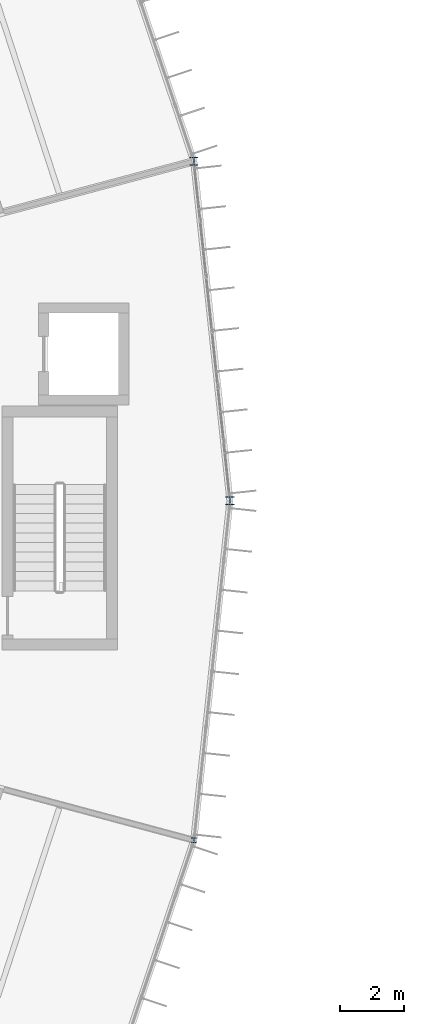
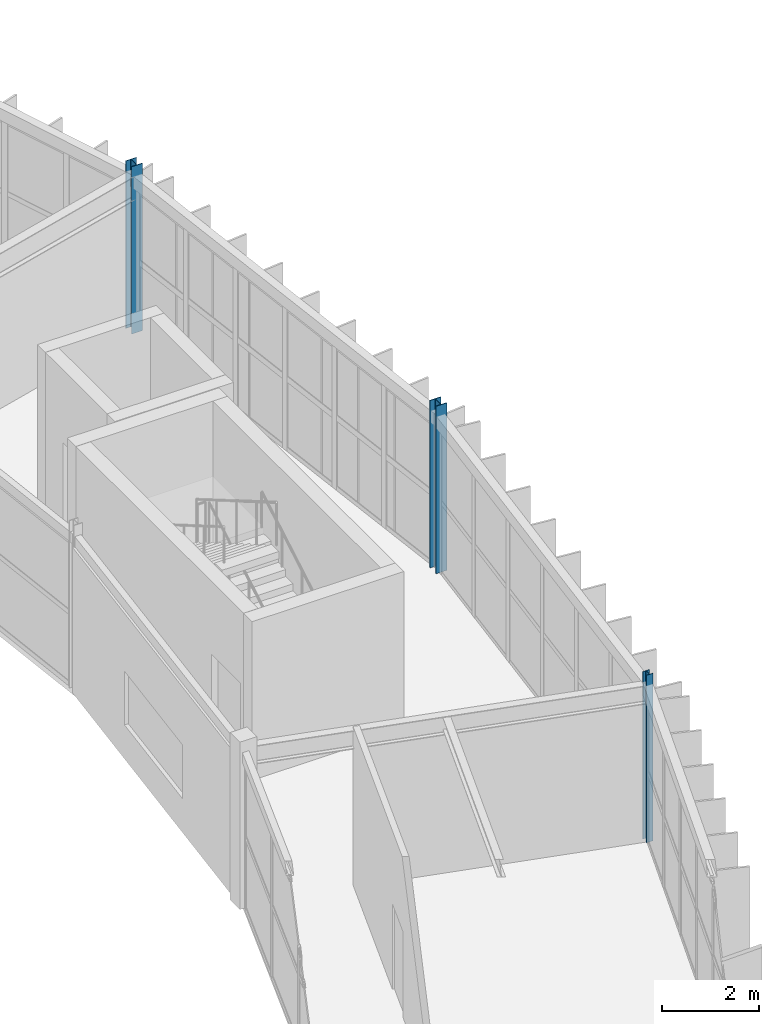
# One storey, part 12 of 157: 3 columns.
"""IFC4 building model written with IfcOpenShell, lengths in metres."""

from ifc_helpers import new_model, si_unit, direction, frame, origin, origin_2d, place, context, subcontext, project, spatial, i_section, extrude, material, material_profile, profile_set, type_object, element, save


model = new_model("IFC4")

# Units and contexts
model_context = context("Model", 3, precision=1e-05, world=origin(), true_north=direction((0.0, 1.0)))
body_context = subcontext(model_context, "Body", "Model", "MODEL_VIEW")
ifc_project = project(units=[si_unit("LENGTHUNIT", "METRE"), si_unit("AREAUNIT", "SQUARE_METRE"), si_unit("VOLUMEUNIT", "CUBIC_METRE"), si_unit("PLANEANGLEUNIT", "RADIAN"), si_unit("MASSUNIT", "GRAM", prefix="KILO")], contexts=[model_context])

# Site, building, storey
site_placement = place(None, origin())
site = spatial("IfcSite", under=ifc_project, at=site_placement, CompositionType="ELEMENT")
building_placement = place(site_placement, origin())
building = spatial("IfcBuilding", under=site, at=building_placement, Name="Karori Crest Natural Sciences Institute", CompositionType="ELEMENT")
storey_placement = place(building_placement, frame((0.0, 0.0, 13.300048828125)))
storey = spatial("IfcBuildingStorey", under=building, at=storey_placement, Name="L03", CompositionType="ELEMENT", Elevation=13.300048828125)

# Columns
ifc_material = material(Name="Structural steel AS/NZS 3679.1 Grade 350", Category="steel")
ifc_material_profile_1 = material_profile(ifc_material, i_section(OverallWidth=0.256103515625, OverallDepth=0.260009765625, WebThickness=0.010498046875, FlangeThickness=0.017333984375, FilletRadius=0.013916015625, at=origin_2d()), Name="250UC89.5")
ifc_profile_set_1 = profile_set([ifc_material_profile_1], Name="Structural steel AS/NZS 3679.1 Grade 350")
column_type_1 = type_object("IfcColumnType", Name="CT-06", PredefinedType="COLUMN", material=ifc_profile_set_1)
column_1_placement = place(storey_placement, frame((99.39990234375, 49.89990234375, 0.0), z_axis=(0.0, 0.0, 1.0), x_axis=(1.0, 0.0, 0.0)))
element("IfcColumn", 1, at=column_1_placement, inside=storey, type_object=column_type_1, Name="Column C-0009", PredefinedType="COLUMN", context=body_context, shape_type="SweptSolid", body=[
    extrude(i_section(OverallWidth=0.256103515625, OverallDepth=0.260009765625, WebThickness=0.010498046875, FlangeThickness=0.017333984375, FilletRadius=0.013916015625, at=origin_2d()), origin(), (0.0, 0.0, 1.0), 4.199951171875),
])
ifc_material_profile_2 = material_profile(ifc_material, i_section(OverallWidth=0.25390625, OverallDepth=0.25390625, WebThickness=0.008544921875, FlangeThickness=0.01416015625, FilletRadius=0.013916015625, at=origin_2d()), Name="250UC72.9")
ifc_profile_set_2 = profile_set([ifc_material_profile_2], Name="Structural steel AS/NZS 3679.1 Grade 350")
column_type_2 = type_object("IfcColumnType", Name="CT-07", PredefinedType="COLUMN", material=ifc_profile_set_2)
column_2_placement = place(storey_placement, frame((98.275634765625, 60.459716796875, 0.0), z_axis=(0.0, 0.0, 1.0), x_axis=(1.0, 0.0, 0.0)))
element("IfcColumn", 2, at=column_2_placement, inside=storey, type_object=column_type_2, Name="Column C-0027", PredefinedType="COLUMN", context=body_context, shape_type="SweptSolid", body=[
    extrude(i_section(OverallWidth=0.25390625, OverallDepth=0.25390625, WebThickness=0.008544921875, FlangeThickness=0.01416015625, FilletRadius=0.013916015625, at=origin_2d()), origin(), (0.0, 0.0, 1.0), 4.199951171875),
])
ifc_material_profile_3 = material_profile(ifc_material, i_section(OverallWidth=0.154052734375, OverallDepth=0.162109375, WebThickness=0.008056640625, FlangeThickness=0.011474609375, FilletRadius=0.009033203125, at=origin_2d()), Name="150UC37.2")
ifc_profile_set_3 = profile_set([ifc_material_profile_3], Name="Structural steel AS/NZS 3679.1 Grade 350")
column_type_3 = type_object("IfcColumnType", Name="CT-26", PredefinedType="COLUMN", material=ifc_profile_set_3)
column_3_placement = place(storey_placement, frame((98.275634765625, 39.340087890625, 0.0), z_axis=(0.0, 0.0, 1.0), x_axis=(1.0, 0.0, 0.0)))
element("IfcColumn", 3, at=column_3_placement, inside=storey, type_object=column_type_3, Name="Column C-0387", PredefinedType="COLUMN", context=body_context, shape_type="SweptSolid", body=[
    extrude(i_section(OverallWidth=0.154052734375, OverallDepth=0.162109375, WebThickness=0.008056640625, FlangeThickness=0.011474609375, FilletRadius=0.009033203125, at=origin_2d()), origin(), (0.0, 0.0, 1.0), 4.199951171875),
])

save(model, "model.ifc")
